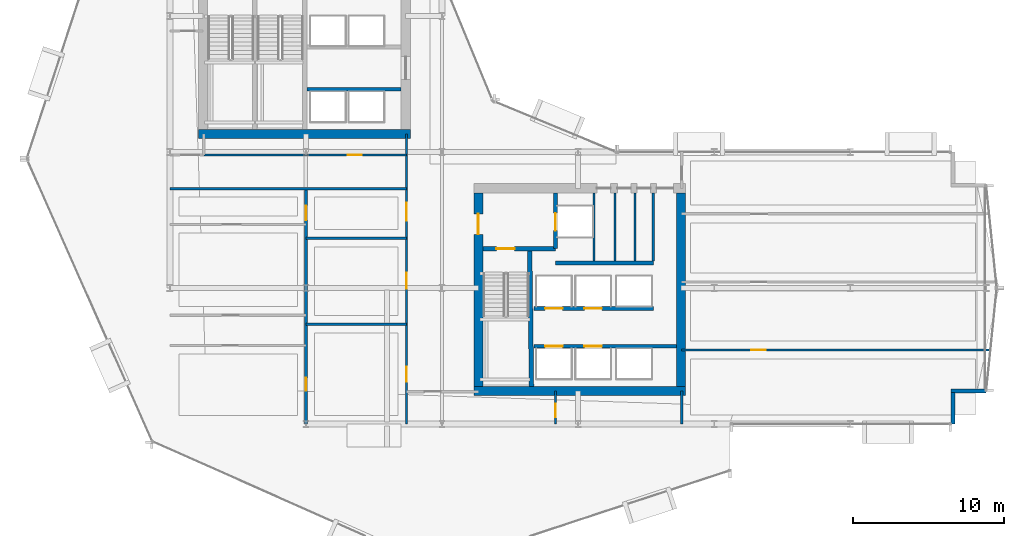
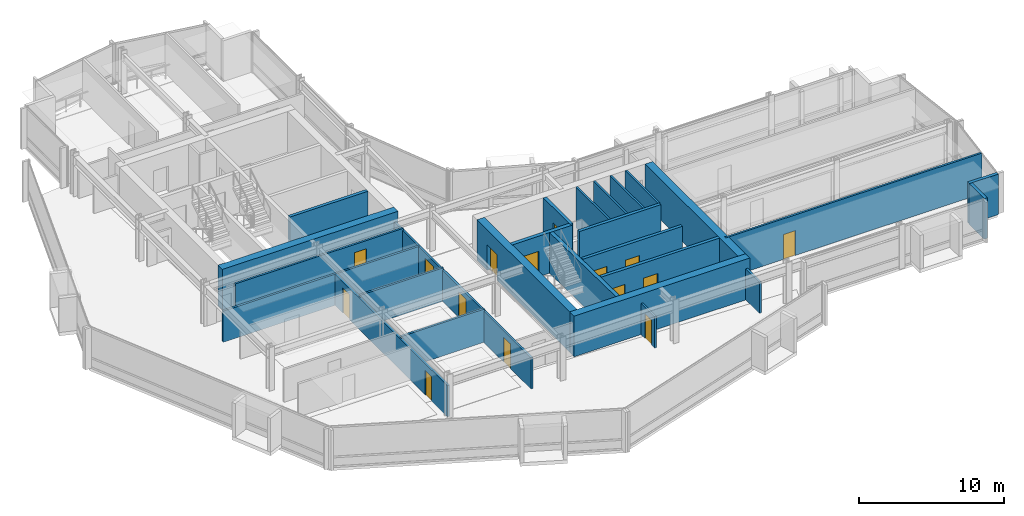
# One storey, part 27 of 34: 26 walls, 15 doors, 15 openings.
"""IFC4 building model written with IfcOpenShell, lengths in metres."""

import ifcopenshell
import ifcopenshell.guid

model = None  # the IFC model being written
_history = None  # IfcOwnerHistory: only IFC2X3 demands one
_inside = {}  # id of a spatial element -> (the spatial element, [elements in it])
_under = {}  # id of a project, library or spatial element -> (it, [spatial elements below it])
_declared = {}  # id of a project -> (the project, [libraries it declares])
_typed = {}  # id of a type object -> (the type object, [elements of that type])
_made_of = {}  # id of a material, layer set ... -> (it, [elements and type objects made of it])


def new_model(schema):
    """Start an empty IFC model of exactly this schema.

    Asked for "IFC4X3", IfcOpenShell would pick the latest addendum, in which some entities
    have other attributes; the version numbers below select the first issue.
    IFC2X3 requires an IfcOwnerHistory on every rooted entity: one is made here for all.
    """
    global model, _history
    if schema == "IFC4X3":
        model = ifcopenshell.file(schema_version=(4, 3, 0, 0))
    else:
        model = ifcopenshell.file(schema=schema)
    _inside.clear()
    _under.clear()
    _declared.clear()
    _typed.clear()
    _made_of.clear()
    _history = None
    if model.schema == "IFC2X3":
        org = make("IfcOrganization", Name="unknown")
        user = make(
            "IfcPersonAndOrganization",
            ThePerson=make("IfcPerson", FamilyName="unknown"),
            TheOrganization=org,
        )
        app = make(
            "IfcApplication",
            ApplicationDeveloper=org,
            Version="unknown",
            ApplicationFullName="unknown",
            ApplicationIdentifier="unknown",
        )
        _history = make(
            "IfcOwnerHistory",
            OwningUser=user,
            OwningApplication=app,
            ChangeAction="ADDED",
            CreationDate=0,
        )
    return model


def make(cls, **values):
    """One entity of the class cls with the attributes given. An attribute that is None is left unset."""
    return model.create_entity(
        cls, **{name: value for name, value in values.items() if value is not None}
    )


def rooted(cls, **values):
    """An entity with a GlobalId (a new one), such as an element, a storey or a relation."""
    return make(cls, GlobalId=ifcopenshell.guid.new(), OwnerHistory=_history, **values)


def si_unit(unit_type, name, prefix=None):
    """IfcSIUnit, for example si_unit("LENGTHUNIT", "METRE", prefix="MILLI")."""
    return make("IfcSIUnit", UnitType=unit_type, Prefix=prefix, Name=name)


def assignment(units):
    """IfcUnitAssignment: the units of a project."""
    return None if units is None else make("IfcUnitAssignment", Units=units)


def point(xyz):
    """IfcCartesianPoint."""
    return None if xyz is None else make("IfcCartesianPoint", Coordinates=xyz)


def direction(xyz):
    """IfcDirection."""
    return None if xyz is None else make("IfcDirection", DirectionRatios=xyz)


def frame(location, z_axis=None, x_axis=None):
    """IfcAxis2Placement3D, a coordinate frame: its origin and axes. An axis left out is left unset."""
    return make(
        "IfcAxis2Placement3D",
        Location=point(location),
        Axis=direction(z_axis),
        RefDirection=direction(x_axis),
    )


def frame_2d(location, x_axis=None):
    """IfcAxis2Placement2D, a coordinate frame in the plane: its origin and x axis."""
    return make(
        "IfcAxis2Placement2D", Location=point(location), RefDirection=direction(x_axis)
    )


def origin():
    """The frame at (0, 0, 0) with its axes left unset."""
    return frame((0.0, 0.0, 0.0))


def place(relative_to, where):
    """IfcLocalPlacement: puts the frame where relative to a parent placement (None: the world)."""
    return make(
        "IfcLocalPlacement", PlacementRelTo=relative_to, RelativePlacement=where
    )


def context(
    kind, dimensions, precision=None, world=None, true_north=None, identifier=None
):
    """IfcGeometricRepresentationContext, for example the 3D "Model" context."""
    return make(
        "IfcGeometricRepresentationContext",
        ContextIdentifier=identifier,
        ContextType=kind,
        CoordinateSpaceDimension=dimensions,
        Precision=precision,
        WorldCoordinateSystem=world,
        TrueNorth=true_north,
    )


def subcontext(parent, identifier, kind, view, scale=None):
    """IfcGeometricRepresentationSubContext, for example "Body" below "Model"."""
    return make(
        "IfcGeometricRepresentationSubContext",
        ContextIdentifier=identifier,
        ContextType=kind,
        ParentContext=parent,
        TargetScale=scale,
        TargetView=view,
    )


def project(units=None, contexts=None):
    """IfcProject with its units and contexts."""
    return rooted(
        "IfcProject",
        Name="project",
        RepresentationContexts=contexts,
        UnitsInContext=assignment(units),
    )


def spatial(cls, under=None, at=None, **own):
    """A site, building, storey or space (cls), placed at a placement, below another one or the project."""
    s = rooted(cls, ObjectPlacement=at, **own)
    if under is not None:
        _under.setdefault(under.id(), (under, []))[1].append(s)
    return s


def profile(cls, at=None, kind="AREA", **sizes):
    """A parametric profile (cls). Its sizes go by their IFC names, for example OverallWidth=200.0."""
    return make(cls, ProfileType=kind, Position=at, **sizes)


def rectangle(**sizes):
    """IfcRectangleProfileDef."""
    return profile("IfcRectangleProfileDef", **sizes)


def extrude(swept, where, along, depth):
    """IfcExtrudedAreaSolid: the profile swept, set in the frame where, extruded along a direction by depth."""
    return make(
        "IfcExtrudedAreaSolid",
        SweptArea=swept,
        Position=where,
        ExtrudedDirection=direction(along),
        Depth=depth,
    )


def shape(context_of_items, identifier, shape_type, items):
    """IfcShapeRepresentation: the items that make up one representation, for example the "Body"."""
    return make(
        "IfcShapeRepresentation",
        ContextOfItems=context_of_items,
        RepresentationIdentifier=identifier,
        RepresentationType=shape_type,
        Items=items,
    )


def material(Name=None, Category=None):
    """IfcMaterial."""
    return make("IfcMaterial", Name=Name, Category=Category)


def layer(
    of_material, thickness, ventilated=None, Name=None, Category=None, Priority=None
):
    """IfcMaterialLayer: one layer of a wall or slab, of a material (None: an air gap)."""
    return make(
        "IfcMaterialLayer",
        Material=of_material,
        LayerThickness=thickness,
        IsVentilated=ventilated,
        Name=Name,
        Category=Category,
        Priority=Priority,
    )


def layer_set(layers, Name=None):
    """IfcMaterialLayerSet."""
    return make("IfcMaterialLayerSet", MaterialLayers=layers, LayerSetName=Name)


def made_of(thing, what):
    """Note that an element or type object is made of a material, layer set ...; save() writes the relation."""
    if what is not None:
        _made_of.setdefault(what.id(), (what, []))[1].append(thing)
    return thing


def type_object(cls, material=None, **own):
    """A type object (cls), such as IfcWallType, which elements share."""
    return made_of(rooted(cls, **own), material)


def element(
    cls,
    number,
    at=None,
    inside=None,
    cuts=None,
    type_object=None,
    material=None,
    context=None,
    identifier="Body",
    shape_type=None,
    held_by="IfcProductDefinitionShape",
    body=None,
    shapes=None,
    **own,
):
    """One element of the class cls, such as IfcWall. Its Tag is "e" and its number.

    at: its placement. inside: the storey or other place that contains it. cuts: it is an
    opening in that element (IfcRelVoidsElement). A single representation is given by context,
    identifier, shape_type and body (its items); several are given by shapes. held_by: the class
    of the entity that holds the representations. save() writes the other relations.
    """
    e = rooted(cls, Tag="e%d" % number, ObjectPlacement=at, **own)
    if body is not None:
        shapes = [shape(context, identifier, shape_type, body)]
    if shapes is not None:
        e.Representation = make(held_by, Representations=shapes)
    if inside is not None:
        _inside.setdefault(inside.id(), (inside, []))[1].append(e)
    if cuts is not None:
        rooted(
            "IfcRelVoidsElement", RelatingBuildingElement=cuts, RelatedOpeningElement=e
        )
    if type_object is not None:
        _typed.setdefault(type_object.id(), (type_object, []))[1].append(e)
    return made_of(e, material)


def fill(opening, filler):
    """IfcRelFillsElement: the door or window that sits in an opening."""
    return rooted(
        "IfcRelFillsElement",
        RelatingOpeningElement=opening,
        RelatedBuildingElement=filler,
    )


def aggregate(whole, parts):
    """IfcRelAggregates: a whole, such as a stair, and the parts it consists of."""
    return rooted("IfcRelAggregates", RelatingObject=whole, RelatedObjects=parts)


def save(model, path):
    """Write the relations noted so far, then the file.

    IfcRelAggregates (storeys below a building ...), IfcRelContainedInSpatialStructure (elements
    in a storey), IfcRelDefinesByType, IfcRelAssociatesMaterial and IfcRelDeclares: one each for
    every whole, place, type object, material and project.
    """
    for whole, parts in _under.values():
        aggregate(whole, parts)
    for where, things in _inside.values():
        rooted(
            "IfcRelContainedInSpatialStructure",
            RelatedElements=things,
            RelatingStructure=where,
        )
    for kind, things in _typed.values():
        rooted("IfcRelDefinesByType", RelatedObjects=things, RelatingType=kind)
    for what, things in _made_of.values():
        rooted("IfcRelAssociatesMaterial", RelatedObjects=things, RelatingMaterial=what)
    for by, libraries in _declared.values():
        rooted("IfcRelDeclares", RelatingContext=by, RelatedDefinitions=libraries)
    model.write(path)


model = new_model("IFC4")

# Units and contexts
model_context = context("Model", 3, precision=1e-05, world=origin(), true_north=direction((0.0, 1.0)))
body_context = subcontext(model_context, "Body", "Model", "MODEL_VIEW")
ifc_project = project(units=[si_unit("LENGTHUNIT", "METRE"), si_unit("AREAUNIT", "SQUARE_METRE"), si_unit("VOLUMEUNIT", "CUBIC_METRE"), si_unit("PLANEANGLEUNIT", "RADIAN"), si_unit("MASSUNIT", "GRAM", prefix="KILO")], contexts=[model_context])

# Site, building, storey
site_placement = place(None, origin())
site = spatial("IfcSite", under=ifc_project, at=site_placement, CompositionType="ELEMENT")
building_placement = place(site_placement, origin())
building = spatial("IfcBuilding", under=site, at=building_placement, Name="Solvaryn Broadcast Tower", CompositionType="ELEMENT")
storey_placement = place(building_placement, frame((0.0, 0.0, 89.10009765625)))
storey = spatial("IfcBuildingStorey", under=building, at=storey_placement, Name="L21", CompositionType="ELEMENT", Elevation=89.10009765625)

# Walls
ifc_material_1 = material(Name="Concrete f'c 70 MPa", Category="concrete")
ifc_layer_1 = layer(ifc_material_1, 0.60009765625)
ifc_layer_set_1 = layer_set([ifc_layer_1], Name="CW-SHEAR-600")
wall_type_1 = type_object("IfcWallType", Name="CW-SHEAR-600", PredefinedType="SHEAR", material=ifc_layer_set_1)
for number, where, z_axis, x_axis, name in (
    (1, (10.89990234375, 28.199951171875, 0.0), (0.0, 0.0, 1.0), (1.0, 0.0, 0.0), "L21 West Core South Shear Wall"),
    (2, (29.10009765625, 11.199951171875, 0.0), (0.0, 0.0, 1.0), (1.0, 0.0, 0.0), "L21 East Core South Shear Wall"),
):
    element("IfcWall", number, at=place(storey_placement, frame(where, z_axis=z_axis, x_axis=x_axis)), inside=storey, type_object=wall_type_1, Name=name, PredefinedType="SHEAR", context=body_context, shape_type="SweptSolid", body=[
        extrude(rectangle(XDim=14.0, YDim=0.60009765625, at=frame_2d((7.0, 0.0))), origin(), (0.0, 0.0, 1.0), 3.419921875),
    ])

# Wall, opening, door
wall_1_placement = place(storey_placement, frame((29.39990234375, 24.300048828125, 0.0), z_axis=(0.0, 0.0, 1.0), x_axis=(0.0, -1.0, 0.0)))
wall_1 = element("IfcWall", 3, at=wall_1_placement, inside=storey, type_object=wall_type_1, Name="L21 East Core West Shear Wall", PredefinedType="SHEAR", context=body_context, shape_type="SweptSolid", body=[
    extrude(rectangle(XDim=12.800048828125, YDim=0.60009765625, at=frame_2d((6.39990234375, 0.0))), origin(), (0.0, 0.0, 1.0), 3.419921875),
])
opening_1_placement = place(wall_1_placement, frame((1.39990234375, 0.0, 0.0)))
opening_1 = element("IfcOpeningElement", 4, at=opening_1_placement, cuts=wall_1, Name="Opening FD90B", PredefinedType="OPENING", context=body_context, shape_type="SweptSolid", body=[
    extrude(rectangle(XDim=1.35009765625, YDim=2.14990234375, at=frame_2d((0.675048828125, 1.074951171875))), frame((0.0, 0.31005859375, 0.0), z_axis=(0.0, -1.0, 0.0), x_axis=(1.0, 0.0, 0.0)), (0.0, 0.0, 1.0), 0.6201171875),
])
ifc_material_2 = material(Name="Flush Acoustic Steel and Timber Door Assembly", Category="steel")
door_type_1 = type_object("IfcDoorType", Name="FD90-LOBBY-1350X2150", OperationType="NOTDEFINED", PredefinedType="DOOR", material=ifc_material_2)
door_1_placement = place(opening_1_placement, origin())
door_1 = element("IfcDoor", 5, at=door_1_placement, inside=storey, type_object=door_type_1, Name="L21 East FSAE Lobby Door", OperationType="SINGLE_SWING_RIGHT", OverallHeight=2.14990234375, OverallWidth=1.35009765625, PredefinedType="DOOR", context=body_context, shape_type="SweptSolid", body=[
    extrude(rectangle(XDim=1.35009765625, YDim=2.14990234375, at=frame_2d((0.675048828125, 1.074951171875))), frame((0.0, 0.02490234375, 0.0), z_axis=(0.0, -1.0, 0.0), x_axis=(1.0, 0.0, 0.0)), (0.0, 0.0, 1.0), 0.050048828125),
])
fill(opening_1, door_1)

# Walls
wall_2_placement = place(storey_placement, frame((42.800048828125, 11.5, 0.0), z_axis=(0.0, 0.0, 1.0), x_axis=(0.0, 1.0, 0.0)))
element("IfcWall", 6, at=wall_2_placement, inside=storey, type_object=wall_type_1, Name="L21 East Core East Shear Wall", PredefinedType="SHEAR", context=body_context, shape_type="SweptSolid", body=[
    extrude(rectangle(XDim=12.800048828125, YDim=0.60009765625, at=frame_2d((6.39990234375, 0.0))), origin(), (0.0, 0.0, 1.0), 3.419921875),
])
ifc_material_3 = material(Name="Concrete f'c 50 MPa", Category="concrete")
ifc_layer_2 = layer(ifc_material_3, 0.260009765625)
ifc_layer_set_2 = layer_set([ifc_layer_2], Name="EW-PIER-260")
wall_type_2 = type_object("IfcWallType", Name="EW-PIER-260", PredefinedType="SOLIDWALL", material=ifc_layer_set_2)
wall_3_placement = place(storey_placement, frame((60.800048828125, 9.0, 0.0), z_axis=(0.0, 0.0, 1.0), x_axis=(0.0, 1.0, 0.0)))
element("IfcWall", 7, at=wall_3_placement, inside=storey, type_object=wall_type_2, Name="L21 Notched Corner Pier Wall NSE1", PredefinedType="SOLIDWALL", context=body_context, shape_type="SweptSolid", body=[
    extrude(rectangle(XDim=2.080078125, YDim=0.260009765625, at=frame_2d((1.0400390625, 0.0))), origin(), (0.0, 0.0, 1.0), 3.419921875),
])
wall_4_placement = place(storey_placement, frame((60.679931640625, 11.199951171875, 0.0), z_axis=(0.0, 0.0, 1.0), x_axis=(1.0, 0.0, 0.0)))
element("IfcWall", 8, at=wall_4_placement, inside=storey, type_object=wall_type_2, Name="L21 Notched Corner Pier Wall NSE2", PredefinedType="SOLIDWALL", context=body_context, shape_type="SweptSolid", body=[
    extrude(rectangle(XDim=2.320068359375, YDim=0.260009765625, at=frame_2d((1.16015625, 0.0))), origin(), (0.0, 0.0, 1.0), 3.419921875),
])
ifc_material_4 = material(Name="Metal-Stud Service Core Partition")
ifc_layer_3 = layer(ifc_material_4, 0.14990234375)
ifc_layer_set_3 = layer_set([ifc_layer_3], Name="IW-PART-150")
wall_type_3 = type_object("IfcWallType", Name="IW-PART-150", PredefinedType="PARTITIONING", material=ifc_layer_set_3)
for number, where, z_axis, x_axis, name in (
    (9, (37.050048828125, 19.780029296875, 0.0), (0.0, 0.0, 1.0), (0.0, 1.0, 0.0), "L21 Interior Partition IW-L21-CE-FL2E"),
    (10, (38.43994140625, 19.780029296875, 0.0), (0.0, 0.0, 1.0), (0.0, 1.0, 0.0), "L21 Interior Partition IW-L21-CE-V1"),
    (11, (39.77001953125, 19.780029296875, 0.0), (0.0, 0.0, 1.0), (0.0, 1.0, 0.0), "L21 Interior Partition IW-L21-CE-V2"),
    (12, (40.97998046875, 19.780029296875, 0.0), (0.0, 0.0, 1.0), (0.0, 1.0, 0.0), "L21 Interior Partition IW-L21-CE-V3"),
):
    element("IfcWall", number, at=place(storey_placement, frame(where, z_axis=z_axis, x_axis=x_axis)), inside=storey, type_object=wall_type_3, Name=name, PredefinedType="PARTITIONING", context=body_context, shape_type="SweptSolid", body=[
        extrude(rectangle(XDim=4.52001953125, YDim=0.14990234375, at=frame_2d((2.260009765625, 0.0))), origin(), (0.0, 0.0, 1.0), 3.419921875),
    ])

# Wall, opening, door
wall_5_placement = place(storey_placement, frame((34.5, 9.0, 0.0), z_axis=(0.0, 0.0, 1.0), x_axis=(0.0, 1.0, 0.0)))
wall_5 = element("IfcWall", 13, at=wall_5_placement, inside=storey, type_object=wall_type_3, Name="L21 Interior Partition IW-L21-SC-V", PredefinedType="PARTITIONING", context=body_context, shape_type="SweptSolid", body=[
    extrude(rectangle(XDim=2.199951171875, YDim=0.14990234375, at=frame_2d((1.10009765625, 0.0))), origin(), (0.0, 0.0, 1.0), 2.626953125),
])
opening_2_placement = place(wall_5_placement, frame((0.449951171875, 0.0, 0.0)))
opening_2 = element("IfcOpeningElement", 14, at=opening_2_placement, cuts=wall_5, Name="Opening FD60C", PredefinedType="OPENING", context=body_context, shape_type="SweptSolid", body=[
    extrude(rectangle(XDim=0.89990234375, YDim=2.10009765625, at=frame_2d((0.449951171875, 1.050048828125))), frame((0.0, 0.0849609375, 0.0), z_axis=(0.0, -1.0, 0.0), x_axis=(1.0, 0.0, 0.0)), (0.0, 0.0, 1.0), 0.169921875),
])
ifc_material_5 = material(Name="Flush Acoustic Steel and Timber Door Assembly", Category="steel")
door_type_2 = type_object("IfcDoorType", Name="FD60-SERV-900X2100", OperationType="NOTDEFINED", PredefinedType="DOOR", material=ifc_material_5)
door_2_placement = place(opening_2_placement, origin())
door_2 = element("IfcDoor", 15, at=door_2_placement, inside=storey, type_object=door_type_2, Name="L21 Door DR-L21-SC1", OperationType="SINGLE_SWING_LEFT", OverallHeight=2.10009765625, OverallWidth=0.89990234375, PredefinedType="DOOR", context=body_context, shape_type="SweptSolid", body=[
    extrude(rectangle(XDim=0.89990234375, YDim=2.10009765625, at=frame_2d((0.449951171875, 1.050048828125))), frame((0.0, 0.02490234375, 0.0), z_axis=(0.0, -1.0, 0.0), x_axis=(1.0, 0.0, 0.0)), (0.0, 0.0, 1.0), 0.050048828125),
])
fill(opening_2, door_2)

# Wall, openings, doors
ifc_material_6 = material(Name="Metal-Stud Gypsum Office Partition")
ifc_layer_4 = layer(ifc_material_6, 0.159912109375)
ifc_layer_set_4 = layer_set([ifc_layer_4], Name="IW-PART-160")
wall_type_4 = type_object("IfcWallType", Name="IW-PART-160", PredefinedType="PARTITIONING", material=ifc_layer_set_4)
wall_6_placement = place(storey_placement, frame((24.64990234375, 9.0, 0.0), z_axis=(0.0, 0.0, 1.0), x_axis=(0.0, 1.0, 0.0)))
wall_6 = element("IfcWall", 16, at=wall_6_placement, inside=storey, type_object=wall_type_4, Name="L21 Interior Partition IW-L21-SW-EB", PredefinedType="PARTITIONING", context=body_context, shape_type="SweptSolid", body=[
    extrude(rectangle(XDim=19.199951171875, YDim=0.159912109375, at=frame_2d((9.60009765625, 0.0))), origin(), (0.0, 0.0, 1.0), 2.626953125),
])
opening_3_placement = place(wall_6_placement, frame((2.800048828125, 0.0, 0.0)))
opening_3 = element("IfcOpeningElement", 17, at=opening_3_placement, cuts=wall_6, Name="Opening ID02", PredefinedType="OPENING", context=body_context, shape_type="SweptSolid", body=[
    extrude(rectangle(XDim=1.0, YDim=2.10009765625, at=frame_2d((0.5, 1.050048828125))), frame((0.0, 0.090087890625, 0.0), z_axis=(0.0, -1.0, 0.0), x_axis=(1.0, 0.0, 0.0)), (0.0, 0.0, 1.0), 0.179931640625),
])
opening_4_placement = place(wall_6_placement, frame((8.949951171875, 0.0, 0.0)))
opening_4 = element("IfcOpeningElement", 18, at=opening_4_placement, cuts=wall_6, Name="Opening ID03", PredefinedType="OPENING", context=body_context, shape_type="SweptSolid", body=[
    extrude(rectangle(XDim=1.050048828125, YDim=2.14990234375, at=frame_2d((0.52490234375, 1.074951171875))), frame((0.0, 0.090087890625, 0.0), z_axis=(0.0, -1.0, 0.0), x_axis=(1.0, 0.0, 0.0)), (0.0, 0.0, 1.0), 0.179931640625),
])
opening_5_placement = place(wall_6_placement, frame((13.43994140625, 0.0, 0.0)))
opening_5 = element("IfcOpeningElement", 19, at=opening_5_placement, cuts=wall_6, Name="Opening ID04", PredefinedType="OPENING", context=body_context, shape_type="SweptSolid", body=[
    extrude(rectangle(XDim=1.199951171875, YDim=2.14990234375, at=frame_2d((0.60009765625, 1.074951171875))), frame((0.0, 0.090087890625, 0.0), z_axis=(0.0, -1.0, 0.0), x_axis=(1.0, 0.0, 0.0)), (0.0, 0.0, 1.0), 0.179931640625),
])
ifc_material_7 = material(Name="Flush Acoustic Steel and Timber Door Assembly", Category="steel")
door_type_3 = type_object("IfcDoorType", Name="ID-02-1000X2100", OperationType="NOTDEFINED", PredefinedType="DOOR", material=ifc_material_7)
door_3_placement = place(opening_3_placement, origin())
door_3 = element("IfcDoor", 20, at=door_3_placement, inside=storey, type_object=door_type_3, Name="L21 Door DR-L21-SWE-1", OperationType="SINGLE_SWING_LEFT", OverallHeight=2.10009765625, OverallWidth=1.0, PredefinedType="DOOR", context=body_context, shape_type="SweptSolid", body=[
    extrude(rectangle(XDim=1.0, YDim=2.10009765625, at=frame_2d((0.5, 1.050048828125))), frame((0.0, 0.02490234375, 0.0), z_axis=(0.0, -1.0, 0.0), x_axis=(1.0, 0.0, 0.0)), (0.0, 0.0, 1.0), 0.050048828125),
])
fill(opening_3, door_3)
ifc_material_8 = material(Name="Flush Acoustic Steel and Timber Door Assembly", Category="steel")
door_type_4 = type_object("IfcDoorType", Name="ID-03-1050X2150", OperationType="NOTDEFINED", PredefinedType="DOOR", material=ifc_material_8)
door_4_placement = place(opening_4_placement, origin())
door_4 = element("IfcDoor", 21, at=door_4_placement, inside=storey, type_object=door_type_4, Name="L21 Door DR-L21-SWE-2", OperationType="SINGLE_SWING_RIGHT", OverallHeight=2.14990234375, OverallWidth=1.050048828125, PredefinedType="DOOR", context=body_context, shape_type="SweptSolid", body=[
    extrude(rectangle(XDim=1.050048828125, YDim=2.14990234375, at=frame_2d((0.52490234375, 1.074951171875))), frame((0.0, 0.02490234375, 0.0), z_axis=(0.0, -1.0, 0.0), x_axis=(1.0, 0.0, 0.0)), (0.0, 0.0, 1.0), 0.050048828125),
])
fill(opening_4, door_4)
ifc_material_9 = material(Name="Flush Acoustic Steel and Timber Door Assembly", Category="steel")
door_type_5 = type_object("IfcDoorType", Name="ID-04-1200X2150", OperationType="NOTDEFINED", PredefinedType="DOOR", material=ifc_material_9)
door_5_placement = place(opening_5_placement, origin())
door_5 = element("IfcDoor", 22, at=door_5_placement, inside=storey, type_object=door_type_5, Name="L21 Door DR-L21-SWE-3", OperationType="SINGLE_SWING_LEFT", OverallHeight=2.14990234375, OverallWidth=1.199951171875, PredefinedType="DOOR", context=body_context, shape_type="SweptSolid", body=[
    extrude(rectangle(XDim=1.199951171875, YDim=2.14990234375, at=frame_2d((0.60009765625, 1.074951171875))), frame((0.0, 0.02490234375, 0.0), z_axis=(0.0, -1.0, 0.0), x_axis=(1.0, 0.0, 0.0)), (0.0, 0.0, 1.0), 0.050048828125),
])
fill(opening_5, door_5)

# Wall
wall_7_placement = place(storey_placement, frame((9.0, 24.580078125, 0.0), z_axis=(0.0, 0.0, 1.0), x_axis=(1.0, 0.0, 0.0)))
element("IfcWall", 23, at=wall_7_placement, inside=storey, type_object=wall_type_4, Name="L21 Interior Partition IW-L21-SW-NB", PredefinedType="PARTITIONING", context=body_context, shape_type="SweptSolid", body=[
    extrude(rectangle(XDim=15.64990234375, YDim=0.159912109375, at=frame_2d((7.824951171875, 0.0))), origin(), (0.0, 0.0, 1.0), 2.626953125),
])

# Wall, opening, door
wall_8_placement = place(storey_placement, frame((11.25, 26.800048828125, 0.0), z_axis=(0.0, 0.0, 1.0), x_axis=(1.0, 0.0, 0.0)))
wall_8 = element("IfcWall", 24, at=wall_8_placement, inside=storey, type_object=wall_type_4, Name="L21 Interior Partition IW-L21-SW-N2", PredefinedType="PARTITIONING", context=body_context, shape_type="SweptSolid", body=[
    extrude(rectangle(XDim=13.39990234375, YDim=0.159912109375, at=frame_2d((6.699951171875, 0.0))), origin(), (0.0, 0.0, 1.0), 2.788818359375),
])
opening_6_placement = place(wall_8_placement, frame((9.5, 0.0, 0.0)))
opening_6 = element("IfcOpeningElement", 25, at=opening_6_placement, cuts=wall_8, Name="Opening ID01", PredefinedType="OPENING", context=body_context, shape_type="SweptSolid", body=[
    extrude(rectangle(XDim=0.949951171875, YDim=2.10009765625, at=frame_2d((0.47509765625, 1.050048828125))), frame((0.0, 0.090087890625, 0.0), z_axis=(0.0, -1.0, 0.0), x_axis=(1.0, 0.0, 0.0)), (0.0, 0.0, 1.0), 0.179931640625),
])
ifc_material_10 = material(Name="Flush Acoustic Steel and Timber Door Assembly", Category="steel")
door_type_6 = type_object("IfcDoorType", Name="ID-01-950X2100", OperationType="NOTDEFINED", PredefinedType="DOOR", material=ifc_material_10)
door_6_placement = place(opening_6_placement, origin())
door_6 = element("IfcDoor", 26, at=door_6_placement, inside=storey, type_object=door_type_6, Name="L21 Door DR-L21-SW-ALC", OperationType="SINGLE_SWING_RIGHT", OverallHeight=2.10009765625, OverallWidth=0.949951171875, PredefinedType="DOOR", context=body_context, shape_type="SweptSolid", body=[
    extrude(rectangle(XDim=0.949951171875, YDim=2.10009765625, at=frame_2d((0.47509765625, 1.050048828125))), frame((0.0, 0.02490234375, 0.0), z_axis=(0.0, -1.0, 0.0), x_axis=(1.0, 0.0, 0.0)), (0.0, 0.0, 1.0), 0.050048828125),
])
fill(opening_6, door_6)

# Walls
wall_9_placement = place(storey_placement, frame((18.0, 15.60009765625, 0.0), z_axis=(0.0, 0.0, 1.0), x_axis=(1.0, 0.0, 0.0)))
element("IfcWall", 27, at=wall_9_placement, inside=storey, type_object=wall_type_4, Name="L21 Interior Partition IW-L21-SWE-H1", PredefinedType="PARTITIONING", context=body_context, shape_type="SweptSolid", body=[
    extrude(rectangle(XDim=6.64990234375, YDim=0.159912109375, at=frame_2d((3.324951171875, 0.0))), origin(), (0.0, 0.0, 1.0), 2.788818359375),
])
wall_10_placement = place(storey_placement, frame((18.0, 21.300048828125, 0.0), z_axis=(0.0, 0.0, 1.0), x_axis=(1.0, 0.0, 0.0)))
element("IfcWall", 28, at=wall_10_placement, inside=storey, type_object=wall_type_4, Name="L21 Interior Partition IW-L21-SWE-H2", PredefinedType="PARTITIONING", context=body_context, shape_type="SweptSolid", body=[
    extrude(rectangle(XDim=6.64990234375, YDim=0.159912109375, at=frame_2d((3.324951171875, 0.0))), origin(), (0.0, 0.0, 1.0), 2.7919921875),
])
wall_11_placement = place(storey_placement, frame((42.85009765625, 9.0, 0.0), z_axis=(0.0, 0.0, 1.0), x_axis=(0.0, 1.0, 0.0)))
element("IfcWall", 29, at=wall_11_placement, inside=storey, type_object=wall_type_4, Name="L21 Interior Partition IW-L21-SC-E", PredefinedType="PARTITIONING", context=body_context, shape_type="SweptSolid", body=[
    extrude(rectangle(XDim=2.199951171875, YDim=0.159912109375, at=frame_2d((1.10009765625, 0.0))), origin(), (0.0, 0.0, 1.0), 2.626953125),
])

# Wall, opening, door
wall_12_placement = place(storey_placement, frame((42.85009765625, 13.89990234375, 0.0), z_axis=(0.0, 0.0, 1.0), x_axis=(1.0, 0.0, 0.0)))
wall_12 = element("IfcWall", 30, at=wall_12_placement, inside=storey, type_object=wall_type_4, Name="L21 Interior Partition IW-L21-EW-H1", PredefinedType="PARTITIONING", context=body_context, shape_type="SweptSolid", body=[
    extrude(rectangle(XDim=20.427978515625, YDim=0.159912109375, at=frame_2d((10.2138671875, 0.0))), origin(), (0.0, 0.0, 1.0), 3.419921875),
])
opening_7_placement = place(wall_12_placement, frame((4.60009765625, 0.0, 0.0)))
opening_7 = element("IfcOpeningElement", 31, at=opening_7_placement, cuts=wall_12, Name="Opening ID01", PredefinedType="OPENING", context=body_context, shape_type="SweptSolid", body=[
    extrude(rectangle(XDim=0.949951171875, YDim=2.10009765625, at=frame_2d((0.47509765625, 1.050048828125))), frame((0.0, 0.090087890625, 0.0), z_axis=(0.0, -1.0, 0.0), x_axis=(1.0, 0.0, 0.0)), (0.0, 0.0, 1.0), 0.179931640625),
])
door_7_placement = place(opening_7_placement, origin())
door_7 = element("IfcDoor", 32, at=door_7_placement, inside=storey, type_object=door_type_6, Name="L21 Door DR-L21-EW-1", OperationType="SINGLE_SWING_LEFT", OverallHeight=2.10009765625, OverallWidth=0.949951171875, PredefinedType="DOOR", context=body_context, shape_type="SweptSolid", body=[
    extrude(rectangle(XDim=0.949951171875, YDim=2.10009765625, at=frame_2d((0.47509765625, 1.050048828125))), frame((0.0, 0.02490234375, 0.0), z_axis=(0.0, -1.0, 0.0), x_axis=(1.0, 0.0, 0.0)), (0.0, 0.0, 1.0), 0.050048828125),
])
fill(opening_7, door_7)

# Wall, openings, doors
ifc_material_11 = material(Name="Acoustic Metal-Stud Gypsum Partition")
ifc_layer_5 = layer(ifc_material_11, 0.179931640625)
ifc_layer_set_5 = layer_set([ifc_layer_5], Name="IW-PART-180")
wall_type_5 = type_object("IfcWallType", Name="IW-PART-180", PredefinedType="PARTITIONING", material=ifc_layer_set_5)
wall_13_placement = place(storey_placement, frame((18.0, 9.0, 0.0), z_axis=(0.0, 0.0, 1.0), x_axis=(0.0, 1.0, 0.0)))
wall_13 = element("IfcWall", 33, at=wall_13_placement, inside=storey, type_object=wall_type_5, Name="L21 Interior Partition IW-L21-SW-VX", PredefinedType="PARTITIONING", context=body_context, shape_type="SweptSolid", body=[
    extrude(rectangle(XDim=15.580078125, YDim=0.179931640625, at=frame_2d((7.7900390625, 0.0))), origin(), (0.0, 0.0, 1.0), 2.626953125),
])
opening_8_placement = place(wall_13_placement, frame((2.199951171875, 0.0, 0.0)))
opening_8 = element("IfcOpeningElement", 34, at=opening_8_placement, cuts=wall_13, Name="Opening ID07", PredefinedType="OPENING", context=body_context, shape_type="SweptSolid", body=[
    extrude(rectangle(XDim=0.860107421875, YDim=2.050048828125, at=frame_2d((0.43017578125, 1.02490234375))), frame((0.0, 0.099853515625, 0.0), z_axis=(0.0, -1.0, 0.0), x_axis=(1.0, 0.0, 0.0)), (0.0, 0.0, 1.0), 0.199951171875),
])
opening_9_placement = place(wall_13_placement, frame((13.5, 0.0, 0.0)))
opening_9 = element("IfcOpeningElement", 35, at=opening_9_placement, cuts=wall_13, Name="Opening ID01", PredefinedType="OPENING", context=body_context, shape_type="SweptSolid", body=[
    extrude(rectangle(XDim=0.949951171875, YDim=2.10009765625, at=frame_2d((0.47509765625, 1.050048828125))), frame((0.0, 0.099853515625, 0.0), z_axis=(0.0, -1.0, 0.0), x_axis=(1.0, 0.0, 0.0)), (0.0, 0.0, 1.0), 0.199951171875),
])
door_8_placement = place(opening_9_placement, origin())
door_8 = element("IfcDoor", 36, at=door_8_placement, inside=storey, type_object=door_type_6, Name="L21 Door DR-L21-SWW-X2", OperationType="SINGLE_SWING_LEFT", OverallHeight=2.10009765625, OverallWidth=0.949951171875, PredefinedType="DOOR", context=body_context, shape_type="SweptSolid", body=[
    extrude(rectangle(XDim=0.949951171875, YDim=2.10009765625, at=frame_2d((0.47509765625, 1.050048828125))), frame((0.0, 0.02490234375, 0.0), z_axis=(0.0, -1.0, 0.0), x_axis=(1.0, 0.0, 0.0)), (0.0, 0.0, 1.0), 0.050048828125),
])
fill(opening_9, door_8)
ifc_material_12 = material(Name="Flush Acoustic Steel and Timber Door Assembly", Category="steel")
door_type_7 = type_object("IfcDoorType", Name="ID-07-860X2050", OperationType="NOTDEFINED", PredefinedType="DOOR", material=ifc_material_12)
door_9_placement = place(opening_8_placement, origin())
door_9 = element("IfcDoor", 37, at=door_9_placement, inside=storey, type_object=door_type_7, Name="L21 Door DR-L21-SWW-X1", OperationType="SINGLE_SWING_RIGHT", OverallHeight=2.050048828125, OverallWidth=0.860107421875, PredefinedType="DOOR", context=body_context, shape_type="SweptSolid", body=[
    extrude(rectangle(XDim=0.860107421875, YDim=2.050048828125, at=frame_2d((0.43017578125, 1.02490234375))), frame((0.0, 0.02490234375, 0.0), z_axis=(0.0, -1.0, 0.0), x_axis=(1.0, 0.0, 0.0)), (0.0, 0.0, 1.0), 0.050048828125),
])
fill(opening_8, door_9)

# Wall
ifc_material_13 = material(Name="Concrete f'c 60 MPa", Category="concrete")
ifc_layer_6 = layer(ifc_material_13, 0.25)
ifc_layer_set_6 = layer_set([ifc_layer_6], Name="SW-SHAFT-250")
wall_type_6 = type_object("IfcWallType", Name="SW-SHAFT-250", PredefinedType="PARTITIONING", material=ifc_layer_set_6)
wall_14_placement = place(storey_placement, frame((18.070068359375, 31.14990234375, 0.0), z_axis=(0.0, 0.0, 1.0), x_axis=(1.0, 0.0, 0.0)))
element("IfcWall", 38, at=wall_14_placement, inside=storey, type_object=wall_type_6, Name="L21 High-Rise Lift Bank South Wall", PredefinedType="PARTITIONING", context=body_context, shape_type="SweptSolid", body=[
    extrude(rectangle(XDim=6.22998046875, YDim=0.25, at=frame_2d((3.114990234375, 0.0))), origin(), (0.0, 0.0, 1.0), 3.419921875),
])

# Wall, opening, door
wall_15_placement = place(storey_placement, frame((34.5, 20.60009765625, 0.0), z_axis=(0.0, 0.0, 1.0), x_axis=(0.0, 1.0, 0.0)))
wall_15 = element("IfcWall", 39, at=wall_15_placement, inside=storey, type_object=wall_type_6, Name="L21 East FSAE Lobby East Wall", PredefinedType="PARTITIONING", context=body_context, shape_type="SweptSolid", body=[
    extrude(rectangle(XDim=3.699951171875, YDim=0.25, at=frame_2d((1.85009765625, 0.0))), origin(), (0.0, 0.0, 1.0), 3.419921875),
])
opening_10_placement = place(wall_15_placement, frame((1.199951171875, 0.0, 0.0)))
opening_10 = element("IfcOpeningElement", 40, at=opening_10_placement, cuts=wall_15, Name="Opening LD01", PredefinedType="OPENING", context=body_context, shape_type="SweptSolid", body=[
    extrude(rectangle(XDim=1.14990234375, YDim=2.14990234375, at=frame_2d((0.574951171875, 1.074951171875))), frame((0.0, 0.135009765625, 0.0), z_axis=(0.0, -1.0, 0.0), x_axis=(1.0, 0.0, 0.0)), (0.0, 0.0, 1.0), 0.27001953125),
])
ifc_material_14 = material(Name="Flush Acoustic Steel and Timber Door Assembly", Category="steel")
door_type_8 = type_object("IfcDoorType", Name="LD-LIFT-1150X2150", OperationType="NOTDEFINED", PredefinedType="DOOR", material=ifc_material_14)
door_10_placement = place(opening_10_placement, origin())
door_10 = element("IfcDoor", 41, at=door_10_placement, inside=storey, type_object=door_type_8, Name="L21 FL2 Lift Landing Door", OperationType="DOUBLE_DOOR_SLIDING", OverallHeight=2.14990234375, OverallWidth=1.14990234375, PredefinedType="DOOR", context=body_context, shape_type="SweptSolid", body=[
    extrude(rectangle(XDim=1.14990234375, YDim=2.14990234375, at=frame_2d((0.574951171875, 1.074951171875))), frame((0.0, 0.02490234375, 0.0), z_axis=(0.0, -1.0, 0.0), x_axis=(1.0, 0.0, 0.0)), (0.0, 0.0, 1.0), 0.050048828125),
])
fill(opening_10, door_10)

# Wall
wall_16_placement = place(storey_placement, frame((34.5, 19.64990234375, 0.0), z_axis=(0.0, 0.0, 1.0), x_axis=(1.0, 0.0, 0.0)))
element("IfcWall", 42, at=wall_16_placement, inside=storey, type_object=wall_type_6, Name="L21 East Core Restroom South Wall", PredefinedType="PARTITIONING", context=body_context, shape_type="SweptSolid", body=[
    extrude(rectangle(XDim=6.47998046875, YDim=0.25, at=frame_2d((3.239990234375, 0.0))), origin(), (0.0, 0.0, 1.0), 3.419921875),
])

# Wall, openings, doors
wall_17_placement = place(storey_placement, frame((33.070068359375, 14.14990234375, 0.0), z_axis=(0.0, 0.0, 1.0), x_axis=(1.0, 0.0, 0.0)))
wall_17 = element("IfcWall", 43, at=wall_17_placement, inside=storey, type_object=wall_type_6, Name="L21 East Lift Bank South Wall", PredefinedType="PARTITIONING", context=body_context, shape_type="SweptSolid", body=[
    extrude(rectangle(XDim=9.429931640625, YDim=0.25, at=frame_2d((4.71484375, 0.0))), origin(), (0.0, 0.0, 1.0), 3.419921875),
])
opening_11_placement = place(wall_17_placement, frame((0.7548828125, 0.0, 0.0)))
opening_11 = element("IfcOpeningElement", 44, at=opening_11_placement, cuts=wall_17, Name="Opening LD01", PredefinedType="OPENING", context=body_context, shape_type="SweptSolid", body=[
    extrude(rectangle(XDim=1.14990234375, YDim=2.14990234375, at=frame_2d((0.574951171875, 1.074951171875))), frame((0.0, 0.135009765625, 0.0), z_axis=(0.0, -1.0, 0.0), x_axis=(1.0, 0.0, 0.0)), (0.0, 0.0, 1.0), 0.27001953125),
])
opening_12_placement = place(wall_17_placement, frame((3.35498046875, 0.0, 0.0)))
opening_12 = element("IfcOpeningElement", 45, at=opening_12_placement, cuts=wall_17, Name="Opening LD01", PredefinedType="OPENING", context=body_context, shape_type="SweptSolid", body=[
    extrude(rectangle(XDim=1.14990234375, YDim=2.14990234375, at=frame_2d((0.574951171875, 1.074951171875))), frame((0.0, 0.135009765625, 0.0), z_axis=(0.0, -1.0, 0.0), x_axis=(1.0, 0.0, 0.0)), (0.0, 0.0, 1.0), 0.27001953125),
])
door_11_placement = place(opening_11_placement, origin())
door_11 = element("IfcDoor", 46, at=door_11_placement, inside=storey, type_object=door_type_8, Name="L21 PL1 Lift Landing Door", OperationType="DOUBLE_DOOR_SLIDING", OverallHeight=2.14990234375, OverallWidth=1.14990234375, PredefinedType="DOOR", context=body_context, shape_type="SweptSolid", body=[
    extrude(rectangle(XDim=1.14990234375, YDim=2.14990234375, at=frame_2d((0.574951171875, 1.074951171875))), frame((0.0, 0.02490234375, 0.0), z_axis=(0.0, -1.0, 0.0), x_axis=(1.0, 0.0, 0.0)), (0.0, 0.0, 1.0), 0.050048828125),
])
fill(opening_11, door_11)
door_12_placement = place(opening_12_placement, origin())
door_12 = element("IfcDoor", 47, at=door_12_placement, inside=storey, type_object=door_type_8, Name="L21 PL2 Lift Landing Door", OperationType="DOUBLE_DOOR_SLIDING", OverallHeight=2.14990234375, OverallWidth=1.14990234375, PredefinedType="DOOR", context=body_context, shape_type="SweptSolid", body=[
    extrude(rectangle(XDim=1.14990234375, YDim=2.14990234375, at=frame_2d((0.574951171875, 1.074951171875))), frame((0.0, 0.02490234375, 0.0), z_axis=(0.0, -1.0, 0.0), x_axis=(1.0, 0.0, 0.0)), (0.0, 0.0, 1.0), 0.050048828125),
])
fill(opening_12, door_12)

wall_18_placement = place(storey_placement, frame((40.97998046875, 16.64990234375, 0.0), z_axis=(0.0, 0.0, 1.0), x_axis=(-1.0, 0.0, 0.0)))
wall_18 = element("IfcWall", 48, at=wall_18_placement, inside=storey, type_object=wall_type_6, Name="L21 East Lift Bank North Wall", PredefinedType="PARTITIONING", context=body_context, shape_type="SweptSolid", body=[
    extrude(rectangle(XDim=7.909912109375, YDim=0.25, at=frame_2d((3.955078125, 0.0))), origin(), (0.0, 0.0, 1.0), 3.419921875),
])
opening_13_placement = place(wall_18_placement, frame((6.0048828125, 0.0, 0.0)))
opening_13 = element("IfcOpeningElement", 49, at=opening_13_placement, cuts=wall_18, Name="Opening LD01", PredefinedType="OPENING", context=body_context, shape_type="SweptSolid", body=[
    extrude(rectangle(XDim=1.14990234375, YDim=2.14990234375, at=frame_2d((0.574951171875, 1.074951171875))), frame((0.0, 0.135009765625, 0.0), z_axis=(0.0, -1.0, 0.0), x_axis=(1.0, 0.0, 0.0)), (0.0, 0.0, 1.0), 0.27001953125),
])
opening_14_placement = place(wall_18_placement, frame((3.405029296875, 0.0, 0.0)))
opening_14 = element("IfcOpeningElement", 50, at=opening_14_placement, cuts=wall_18, Name="Opening LD01", PredefinedType="OPENING", context=body_context, shape_type="SweptSolid", body=[
    extrude(rectangle(XDim=1.14990234375, YDim=2.14990234375, at=frame_2d((0.574951171875, 1.074951171875))), frame((0.0, 0.135009765625, 0.0), z_axis=(0.0, -1.0, 0.0), x_axis=(1.0, 0.0, 0.0)), (0.0, 0.0, 1.0), 0.27001953125),
])
door_13_placement = place(opening_13_placement, origin())
door_13 = element("IfcDoor", 51, at=door_13_placement, inside=storey, type_object=door_type_8, Name="L21 PL3 Lift Landing Door", OperationType="DOUBLE_DOOR_SLIDING", OverallHeight=2.14990234375, OverallWidth=1.14990234375, PredefinedType="DOOR", context=body_context, shape_type="SweptSolid", body=[
    extrude(rectangle(XDim=1.14990234375, YDim=2.14990234375, at=frame_2d((0.574951171875, 1.074951171875))), frame((0.0, 0.02490234375, 0.0), z_axis=(0.0, -1.0, 0.0), x_axis=(1.0, 0.0, 0.0)), (0.0, 0.0, 1.0), 0.050048828125),
])
fill(opening_13, door_13)
door_14_placement = place(opening_14_placement, origin())
door_14 = element("IfcDoor", 52, at=door_14_placement, inside=storey, type_object=door_type_8, Name="L21 PL4 Lift Landing Door", OperationType="DOUBLE_DOOR_SLIDING", OverallHeight=2.14990234375, OverallWidth=1.14990234375, PredefinedType="DOOR", context=body_context, shape_type="SweptSolid", body=[
    extrude(rectangle(XDim=1.14990234375, YDim=2.14990234375, at=frame_2d((0.574951171875, 1.074951171875))), frame((0.0, 0.02490234375, 0.0), z_axis=(0.0, -1.0, 0.0), x_axis=(1.0, 0.0, 0.0)), (0.0, 0.0, 1.0), 0.050048828125),
])
fill(opening_14, door_14)

# Wall
ifc_material_15 = material(Name="Concrete f'c 70 MPa", Category="concrete")
ifc_layer_7 = layer(ifc_material_15, 0.300048828125)
ifc_layer_set_7 = layer_set([ifc_layer_7], Name="SW-SHAFT-300")
wall_type_7 = type_object("IfcWallType", Name="SW-SHAFT-300", PredefinedType="SHEAR", material=ifc_layer_set_7)
wall_19_placement = place(storey_placement, frame((32.919921875, 11.5, 0.0), z_axis=(0.0, 0.0, 1.0), x_axis=(-0.013244407292, 0.999912288991, 0.0)))
element("IfcWall", 53, at=wall_19_placement, inside=storey, type_object=wall_type_7, Name="L21 Stair 3 East Shear Wall", PredefinedType="SHEAR", context=body_context, shape_type="SweptSolid", body=[
    extrude(rectangle(XDim=9.05078125, YDim=0.300048828125, at=frame_2d((4.525390625, 0.0))), origin(), (0.0, 0.0, 1.0), 3.419921875),
])

# Wall, opening, door
wall_20_placement = place(storey_placement, frame((34.5, 20.60009765625, 0.0), z_axis=(0.0, 0.0, 1.0), x_axis=(-1.0, 0.0, 0.0)))
wall_20 = element("IfcWall", 54, at=wall_20_placement, inside=storey, type_object=wall_type_7, Name="L21 East FSAE Lobby South Wall", PredefinedType="SHEAR", context=body_context, shape_type="SweptSolid", body=[
    extrude(rectangle(XDim=4.800048828125, YDim=0.300048828125, at=frame_2d((2.39990234375, 0.0))), origin(), (0.0, 0.0, 1.0), 3.419921875),
])
opening_15_placement = place(wall_20_placement, frame((2.699951171875, 0.0, 0.0)))
opening_15 = element("IfcOpeningElement", 55, at=opening_15_placement, cuts=wall_20, Name="Opening FD90A", PredefinedType="OPENING", context=body_context, shape_type="SweptSolid", body=[
    extrude(rectangle(XDim=1.199951171875, YDim=2.14990234375, at=frame_2d((0.60009765625, 1.074951171875))), frame((0.0, 0.159912109375, 0.0), z_axis=(0.0, -1.0, 0.0), x_axis=(1.0, 0.0, 0.0)), (0.0, 0.0, 1.0), 0.320068359375),
])
ifc_material_16 = material(Name="Flush Acoustic Steel and Timber Door Assembly", Category="steel")
door_type_9 = type_object("IfcDoorType", Name="FD90-STAIR-1200X2150", OperationType="NOTDEFINED", PredefinedType="DOOR", material=ifc_material_16)
door_15_placement = place(opening_15_placement, origin())
door_15 = element("IfcDoor", 56, at=door_15_placement, inside=storey, type_object=door_type_9, Name="L21 Stair 3 Fire Door", OperationType="SINGLE_SWING_LEFT", OverallHeight=2.14990234375, OverallWidth=1.199951171875, PredefinedType="DOOR", context=body_context, shape_type="SweptSolid", body=[
    extrude(rectangle(XDim=1.199951171875, YDim=2.14990234375, at=frame_2d((0.60009765625, 1.074951171875))), frame((0.0, 0.02490234375, 0.0), z_axis=(0.0, -1.0, 0.0), x_axis=(1.0, 0.0, 0.0)), (0.0, 0.0, 1.0), 0.050048828125),
])
fill(opening_15, door_15)

save(model, "model.ifc")
